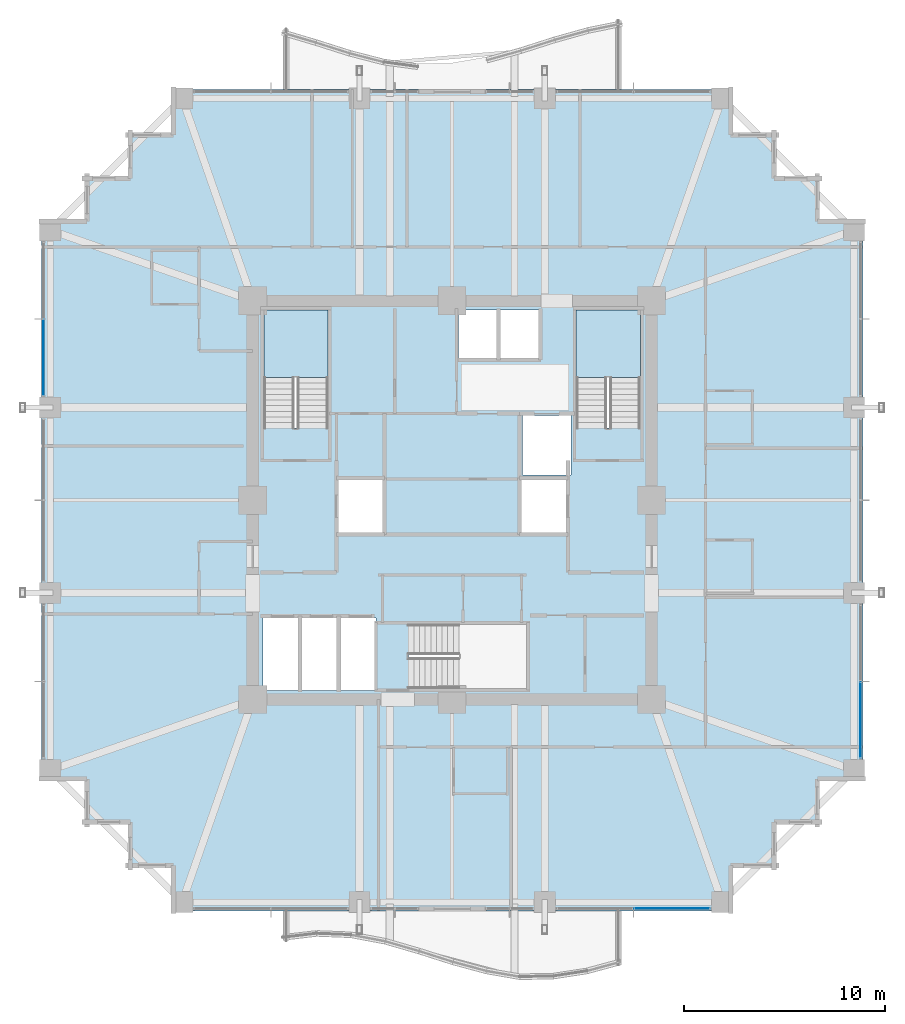
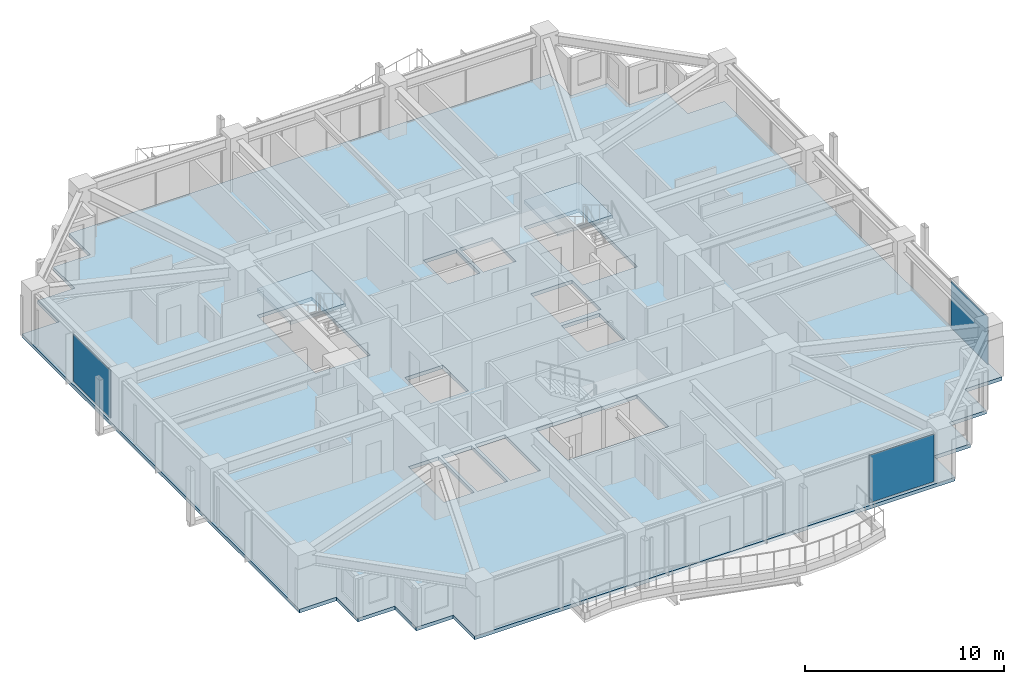
# One storey, part 28 of 38: 3 plates, 3 slabs, 5 elements without a shape of their own.
"""IFC4 building model written with IfcOpenShell, lengths in metres."""

from ifc_helpers import new_model, si_unit, direction, frame, origin, origin_2d, place, context, subcontext, project, spatial, polyline, rectangle, outline, extrude, material, layer, layer_set, type_object, element, aggregate, save


model = new_model("IFC4")

# Units and contexts
model_context = context("Model", 3, precision=1e-05, world=origin(), true_north=direction((0.0, 1.0)))
body_context = subcontext(model_context, "Body", "Model", "MODEL_VIEW")
ifc_project = project(units=[si_unit("LENGTHUNIT", "METRE"), si_unit("AREAUNIT", "SQUARE_METRE"), si_unit("VOLUMEUNIT", "CUBIC_METRE"), si_unit("PLANEANGLEUNIT", "RADIAN"), si_unit("MASSUNIT", "GRAM", prefix="KILO")], contexts=[model_context])

# Site, building, storey
site_placement = place(None, origin())
site = spatial("IfcSite", under=ifc_project, at=site_placement, CompositionType="ELEMENT")
building_placement = place(site_placement, origin())
building = spatial("IfcBuilding", under=site, at=building_placement, Name="Kolvaren Belvedere", CompositionType="ELEMENT")
storey_placement = place(building_placement, frame((0.0, 0.0, 78.800048828125)))
storey = spatial("IfcBuildingStorey", under=building, at=storey_placement, Name="L22", CompositionType="ELEMENT", Elevation=78.800048828125)

# Curtain wall, plate
ifc_material_1 = material(Name="Anodised pale-metal aluminium AA 6063-T6", Category="aluminium")
curtain_wall_type = type_object("IfcCurtainWallType", Name="CW-Z2-MID", PredefinedType="NOTDEFINED", material=ifc_material_1)
curtain_wall_1_placement = place(storey_placement, origin())
curtain_wall_1 = element("IfcCurtainWall", 1, at=curtain_wall_1_placement, inside=storey, type_object=curtain_wall_type, Name="L22 Unitised Curtain Wall FCW-L22-S1-B1", PredefinedType="NOTDEFINED")
ifc_material_2 = material(Name="Low-iron triple insulated glass", Category="glass")
ifc_layer_1 = layer(ifc_material_2, 0.028076171875)
ifc_layer_set_1 = layer_set([ifc_layer_1], Name="Low-iron triple insulated glass")
plate_type = type_object("IfcPlateType", Name="CW-PNL-VIS28", PredefinedType="CURTAIN_PANEL", material=ifc_layer_set_1)
plate_1_placement = place(storey_placement, frame((10.9111328125, -20.280029296875, 0.080078125), z_axis=(0.0, 0.0, 1.0), x_axis=(-1.0, 0.0, 0.0)))
plate_1 = element("IfcPlate", 2, at=plate_1_placement, type_object=plate_type, Name="FCW-L22-S1-B1 Vision Glazing Panel 1", PredefinedType="CURTAIN_PANEL", context=body_context, shape_type="SweptSolid", body=[
    extrude(rectangle(XDim=3.742431640625, YDim=0.028076171875, at=origin_2d()), origin(), (0.0, 0.0, 1.0), 2.919921875),
])
aggregate(curtain_wall_1, [plate_1])

curtain_wall_2_placement = place(storey_placement, origin())
curtain_wall_2 = element("IfcCurtainWall", 3, at=curtain_wall_2_placement, inside=storey, type_object=curtain_wall_type, Name="L22 Unitised Curtain Wall FCW-L22-E-B3", PredefinedType="NOTDEFINED")
plate_2_placement = place(storey_placement, frame((20.280029296875, -10.9111328125, 0.080078125), z_axis=(0.0, 0.0, 1.0), x_axis=(0.0, -1.0, 0.0)))
plate_2 = element("IfcPlate", 4, at=plate_2_placement, type_object=plate_type, Name="FCW-L22-E-B3 Vision Glazing Panel 2", PredefinedType="CURTAIN_PANEL", context=body_context, shape_type="SweptSolid", body=[
    extrude(rectangle(XDim=3.742431640625, YDim=0.028076171875, at=origin_2d()), origin(), (0.0, 0.0, 1.0), 2.919921875),
])
aggregate(curtain_wall_2, [plate_2])

curtain_wall_3_placement = place(storey_placement, origin())
curtain_wall_3 = element("IfcCurtainWall", 5, at=curtain_wall_3_placement, inside=storey, type_object=curtain_wall_type, Name="L22 Unitised Curtain Wall FCW-L22-W-B3", PredefinedType="NOTDEFINED")
plate_3_placement = place(storey_placement, frame((-20.280029296875, 7.0888671875, 0.080078125), z_axis=(0.0, 0.0, 1.0), x_axis=(0.0, 1.0, 0.0)))
plate_3 = element("IfcPlate", 6, at=plate_3_placement, type_object=plate_type, Name="FCW-L22-W-B3 Vision Glazing Panel 1", PredefinedType="CURTAIN_PANEL", context=body_context, shape_type="SweptSolid", body=[
    extrude(rectangle(XDim=3.742431640625, YDim=0.028076171875, at=origin_2d()), origin(), (0.0, 0.0, 1.0), 2.919921875),
])
aggregate(curtain_wall_3, [plate_3])

# Slab
ifc_material_3 = material(Name="Concrete C50/60", Category="concrete")
ifc_layer_2 = layer(ifc_material_3, 0.219970703125)
ifc_layer_set_2 = layer_set([ifc_layer_2], Name="Concrete C50/60")
slab_type_1 = type_object("IfcSlabType", Name="SL-FLR-220", PredefinedType="FLOOR", material=ifc_layer_set_2)
slab_1_placement = place(storey_placement, frame((0.0, 0.0, -0.219970703125)))
element("IfcSlab", 7, at=slab_1_placement, inside=storey, type_object=slab_type_1, Name="L22 Primary Structural Slab", PredefinedType="FLOOR", context=body_context, shape_type="SweptSolid", body=[
    extrude(outline(polyline([(-13.949951171875, -20.39990234375), (13.949951171875, -20.39990234375), (13.949951171875, -18.25), (16.10009765625, -18.25), (16.10009765625, -16.10009765625), (18.25, -16.10009765625), (18.25, -13.949951171875), (20.39990234375, -13.949951171875), (20.39990234375, 13.949951171875), (18.25, 13.949951171875), (18.25, 16.10009765625), (16.10009765625, 16.10009765625), (16.10009765625, 18.25), (13.949951171875, 18.25), (13.949951171875, 20.39990234375), (-13.949951171875, 20.39990234375), (-13.949951171875, 18.25), (-16.10009765625, 18.25), (-16.10009765625, 16.10009765625), (-18.25, 16.10009765625), (-18.25, 13.949951171875), (-20.39990234375, 13.949951171875), (-20.39990234375, -13.949951171875), (-18.25, -13.949951171875), (-18.25, -16.10009765625), (-16.10009765625, -16.10009765625), (-16.10009765625, -18.25), (-13.949951171875, -18.25), (-13.949951171875, -20.39990234375)]), holes=[polyline([(-9.35009765625, 3.580078125), (-6.159912109375, 3.580078125), (-6.159912109375, 9.449951171875), (-9.35009765625, 9.449951171875), (-9.35009765625, 3.580078125)]), polyline([(6.159912109375, 3.580078125), (9.35009765625, 3.580078125), (9.35009765625, 9.449951171875), (6.159912109375, 9.449951171875), (6.159912109375, 3.580078125)]), polyline([(-2.169921875, -9.35009765625), (3.699951171875, -9.35009765625), (3.699951171875, -6.159912109375), (-2.169921875, -6.159912109375), (-2.169921875, -9.35009765625)]), polyline([(-5.64990234375, -1.60009765625), (-3.449951171875, -1.60009765625), (-3.449951171875, 1.0), (-5.64990234375, 1.0), (-5.64990234375, -1.60009765625)]), polyline([(3.5, 1.25), (5.89990234375, 1.25), (5.89990234375, 4.199951171875), (3.5, 4.199951171875), (3.5, 1.25)]), polyline([(3.449951171875, -1.60009765625), (5.64990234375, -1.60009765625), (5.64990234375, 1.0), (3.449951171875, 1.0), (3.449951171875, -1.60009765625)]), polyline([(-9.39990234375, -9.449951171875), (-7.64990234375, -9.449951171875), (-7.64990234375, -5.85009765625), (-9.39990234375, -5.85009765625), (-9.39990234375, -9.449951171875)]), polyline([(-7.469970703125, -9.449951171875), (-5.719970703125, -9.449951171875), (-5.719970703125, -5.85009765625), (-7.469970703125, -5.85009765625), (-7.469970703125, -9.449951171875)]), polyline([(-5.5400390625, -9.449951171875), (-3.7900390625, -9.449951171875), (-3.7900390625, -5.85009765625), (-5.5400390625, -5.85009765625), (-5.5400390625, -9.449951171875)]), polyline([(0.320068359375, 7.050048828125), (2.219970703125, 7.050048828125), (2.219970703125, 9.449951171875), (0.320068359375, 9.449951171875), (0.320068359375, 7.050048828125)]), polyline([(2.39990234375, 7.050048828125), (4.300048828125, 7.050048828125), (4.300048828125, 9.449951171875), (2.39990234375, 9.449951171875), (2.39990234375, 7.050048828125)])]), origin(), (0.0, 0.0, 1.0), 0.219970703125),
])

# Stair, slab
ifc_material_4 = material(Name="Concrete C50/60", Category="concrete")
stair_type = type_object("IfcStairType", Name="ST-CORE-1520", PredefinedType="HALF_TURN_STAIR", material=ifc_material_4)
stair_1_placement = place(storey_placement, origin())
stair_1 = element("IfcStair", 8, at=stair_1_placement, inside=storey, type_object=stair_type, Name="L22 Protected Exit Stair ST-1", PredefinedType="HALF_TURN_STAIR")
ifc_material_5 = material(Name="Concrete C50/60", Category="concrete")
ifc_layer_3 = layer(ifc_material_5, 0.260009765625)
ifc_layer_set_3 = layer_set([ifc_layer_3], Name="Concrete C50/60")
slab_type_2 = type_object("IfcSlabType", Name="SL-LAND-260", PredefinedType="LANDING", material=ifc_layer_set_3)
slab_2_placement = place(storey_placement, frame((0.0, 0.0, 1.449951171875)))
slab_2 = element("IfcSlab", 9, at=slab_2_placement, type_object=slab_type_2, Name="ST-1 landing 1", PredefinedType="LANDING", context=body_context, shape_type="SweptSolid", body=[
    extrude(outline(polyline([(-6.159912109375, 6.090087890625), (-6.159912109375, 9.449951171875), (-9.35009765625, 9.449951171875), (-9.35009765625, 6.090087890625), (-6.159912109375, 6.090087890625)])), origin(), (0.0, 0.0, 1.0), 0.199951171875),
])
aggregate(stair_1, [slab_2])

stair_2_placement = place(storey_placement, origin())
stair_2 = element("IfcStair", 10, at=stair_2_placement, inside=storey, type_object=stair_type, Name="L22 Protected Exit Stair ST-2", PredefinedType="HALF_TURN_STAIR")
slab_3_placement = place(storey_placement, frame((0.0, 0.0, 1.449951171875)))
slab_3 = element("IfcSlab", 11, at=slab_3_placement, type_object=slab_type_2, Name="ST-2 landing 1", PredefinedType="LANDING", context=body_context, shape_type="SweptSolid", body=[
    extrude(outline(polyline([(9.35009765625, 6.090087890625), (9.35009765625, 9.449951171875), (6.159912109375, 9.449951171875), (6.159912109375, 6.090087890625), (9.35009765625, 6.090087890625)])), origin(), (0.0, 0.0, 1.0), 0.199951171875),
])
aggregate(stair_2, [slab_3])

save(model, "model.ifc")
